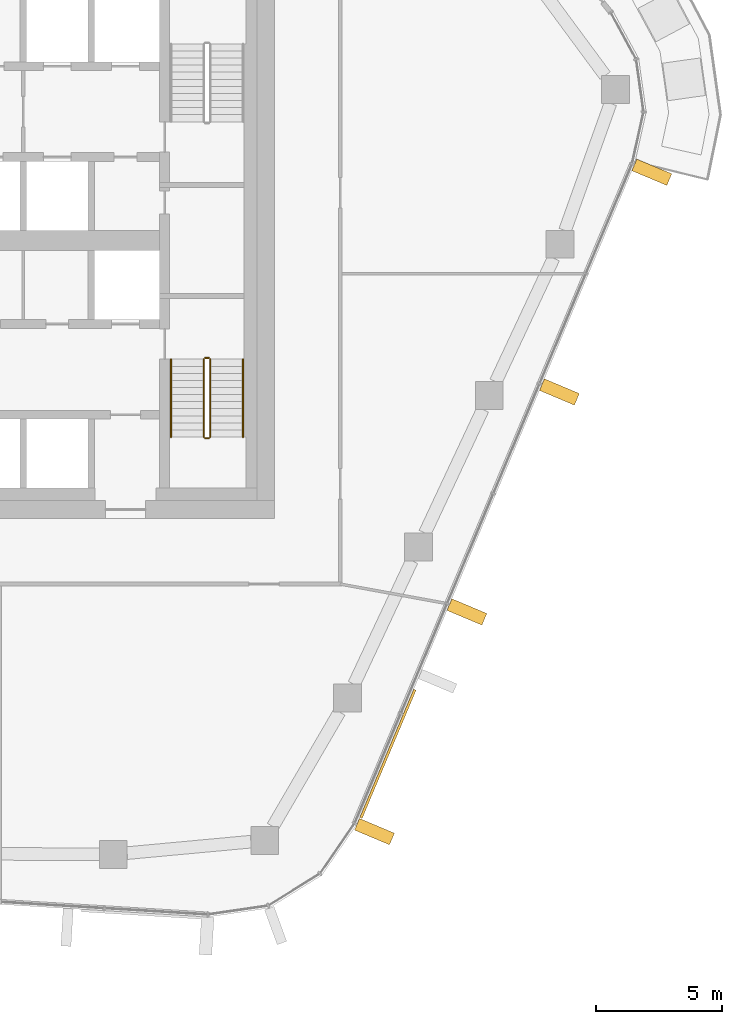
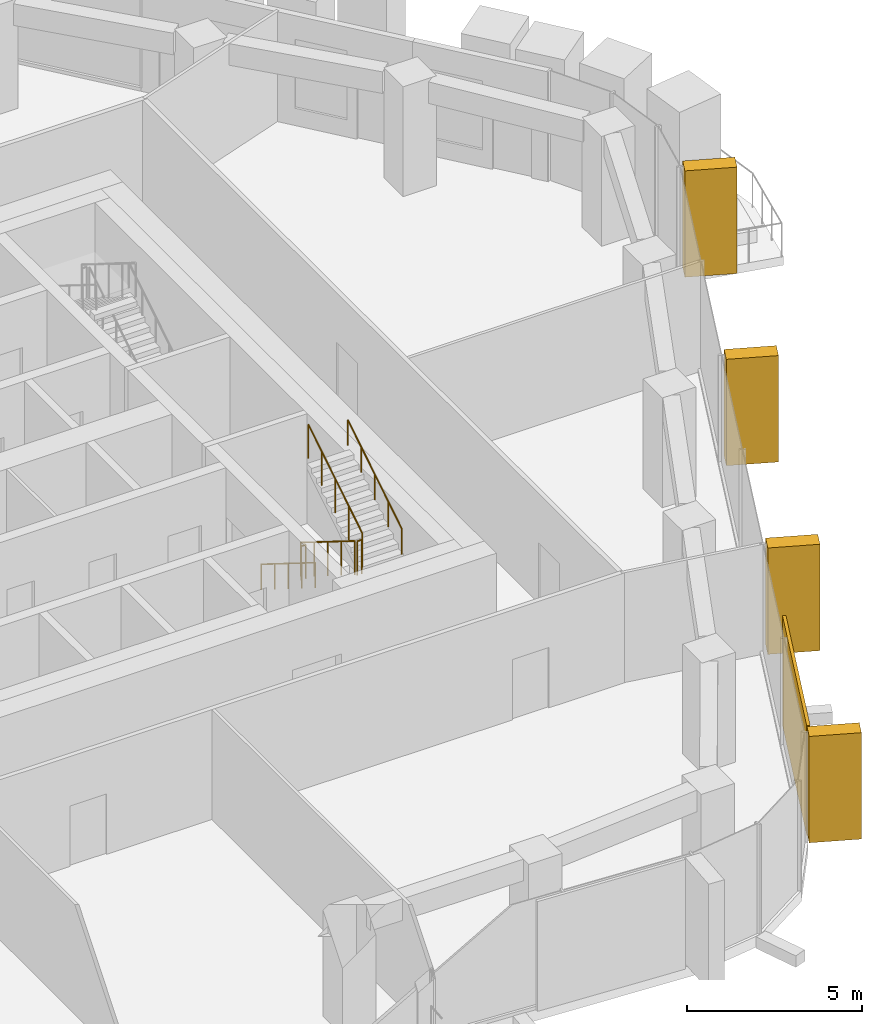
# One storey, part 17 of 20: 6 railings, 5 coverings, 1 element without a shape of its own.
"""IFC4 building model written with IfcOpenShell, lengths in metres."""

from ifc_helpers import new_model, si_unit, direction, frame, origin, origin_2d, place, context, subcontext, project, spatial, rectangle, circle, extrude, material, layer, layer_set, material_profile, profile_set, type_object, element, aggregate, save


model = new_model("IFC4")

# Units and contexts
model_context = context("Model", 3, precision=1e-05, world=origin(), true_north=direction((0.0, 1.0)))
body_context = subcontext(model_context, "Body", "Model", "MODEL_VIEW")
ifc_project = project(units=[si_unit("LENGTHUNIT", "METRE"), si_unit("AREAUNIT", "SQUARE_METRE"), si_unit("VOLUMEUNIT", "CUBIC_METRE"), si_unit("PLANEANGLEUNIT", "RADIAN"), si_unit("MASSUNIT", "GRAM", prefix="KILO")], contexts=[model_context])

# Site, building, storey
site_placement = place(None, origin())
site = spatial("IfcSite", under=ifc_project, at=site_placement, CompositionType="ELEMENT")
building_placement = place(site_placement, origin())
building = spatial("IfcBuilding", under=site, at=building_placement, Name="Dongbaek Canopy Tower", CompositionType="ELEMENT")
storey_placement = place(building_placement, frame((0.0, 0.0, 262.199951171875)))
storey = spatial("IfcBuildingStorey", under=building, at=storey_placement, Name="L55", CompositionType="ELEMENT", Elevation=262.199951171875)

# Curtain wall, coverings
ifc_material_1 = material(Name="Aluminium 6063-T6 pale anodised", Category="aluminium")
ifc_layer_1 = layer(ifc_material_1, 0.199951171875)
ifc_layer_set_1 = layer_set([ifc_layer_1], Name="CW-1 unitised tower curtain wall")
curtain_wall_type = type_object("IfcCurtainWallType", Name="CW-1 unitised tower curtain wall", PredefinedType="NOTDEFINED", material=ifc_layer_set_1)
curtain_wall_placement = place(storey_placement, origin())
curtain_wall = element("IfcCurtainWall", 1, at=curtain_wall_placement, inside=storey, type_object=curtain_wall_type, Name="CW-1 curtain wall F5.1", PredefinedType="NOTDEFINED")
ifc_material_2 = material(Name="Perforated aluminium 6063-T6 pale metal screen", Category="aluminium")
ifc_layer_2 = layer(ifc_material_2, 0.10009765625)
ifc_layer_set_2 = layer_set([ifc_layer_2], Name="Facet screen FS1 100 pale metal")
covering_type_1 = type_object("IfcCoveringType", Name="Facet screen FS1 100 pale metal", PredefinedType="CLADDING", material=ifc_layer_set_2)
covering_1_placement = place(storey_placement, frame((18.48779296875, -20.319091796875, 0.0), z_axis=(0.0, 0.0, 1.0), x_axis=(0.387695781976, 0.92178738364, 0.0)))
covering_1 = element("IfcCovering", 2, at=covering_1_placement, type_object=covering_type_1, Name="Facet screen L55 F5", PredefinedType="CLADDING", context=body_context, shape_type="SweptSolid", body=[
    extrude(rectangle(XDim=5.511474609375, YDim=0.10009765625, at=origin_2d()), origin(), (0.0, 0.0, 1.0), 3.820068359375),
])
ifc_material_3 = material(Name="Aluminium 6063-T6 pale metal fin", Category="aluminium")
ifc_material_profile = material_profile(ifc_material_3, rectangle(XDim=1.5, YDim=0.5, at=origin_2d()), Name="Fin FN1 500 x 1500 pale metal")
ifc_profile_set = profile_set([ifc_material_profile], Name="Aluminium 6063-T6 pale metal fin")
covering_type_2 = type_object("IfcCoveringType", Name="Fin FN1 500 x 1500 pale metal", PredefinedType="CLADDING", material=ifc_profile_set)
covering_2_placement = place(storey_placement, frame((17.955810546875, -23.399658203125, 0.1201171875), z_axis=(0.0, 0.0, 1.0), x_axis=(0.92178748934, -0.387695530662, 0.0)))
covering_2 = element("IfcCovering", 3, at=covering_2_placement, type_object=covering_type_2, Name="Fin F5.1.1", PredefinedType="CLADDING", context=body_context, shape_type="SweptSolid", body=[
    extrude(rectangle(XDim=1.5, YDim=0.5, at=origin_2d()), origin(), (0.0, 0.0, 1.0), 3.699951171875),
])
covering_3_placement = place(storey_placement, frame((21.613525390625, -14.703125, 0.1201171875), z_axis=(0.0, 0.0, 1.0), x_axis=(0.92178748934, -0.387695530662, 0.0)))
covering_3 = element("IfcCovering", 4, at=covering_3_placement, type_object=covering_type_2, Name="Fin F5.1.3", PredefinedType="CLADDING", context=body_context, shape_type="SweptSolid", body=[
    extrude(rectangle(XDim=1.5, YDim=0.5, at=origin_2d()), origin(), (0.0, 0.0, 1.0), 3.699951171875),
])
covering_4_placement = place(storey_placement, frame((25.275146484375, -5.9970703125, 0.1201171875), z_axis=(0.0, 0.0, 1.0), x_axis=(0.92178748934, -0.387695530662, 0.0)))
covering_4 = element("IfcCovering", 5, at=covering_4_placement, type_object=covering_type_2, Name="Fin F5.1.5", PredefinedType="CLADDING", context=body_context, shape_type="SweptSolid", body=[
    extrude(rectangle(XDim=1.5, YDim=0.5, at=origin_2d()), origin(), (0.0, 0.0, 1.0), 3.699951171875),
])
covering_5_placement = place(storey_placement, frame((28.933349609375, 2.70068359375, 0.1201171875), z_axis=(0.0, 0.0, 1.0), x_axis=(0.92178748934, -0.387695530662, 0.0)))
covering_5 = element("IfcCovering", 6, at=covering_5_placement, type_object=covering_type_2, Name="Fin F5.1.7", PredefinedType="CLADDING", context=body_context, shape_type="SweptSolid", body=[
    extrude(rectangle(XDim=1.5, YDim=0.5, at=origin_2d()), origin(), (0.0, 0.0, 1.0), 3.699951171875),
])
aggregate(curtain_wall, [covering_2, covering_3, covering_4, covering_5, covering_1])

# Railings
ifc_material_4 = material(Name="Stainless steel tube and balusters", Category="steel")
railing_type_1 = type_object("IfcRailingType", Name="Stair guard 1200", PredefinedType="GUARDRAIL", material=ifc_material_4)
railing_1_placement = place(storey_placement, frame((11.199951171875, -4.699951171875, 0.175048828125)))
element("IfcRailing", 7, at=railing_1_placement, inside=storey, type_object=railing_type_1, Name="L55 ST-B stair guard 1", PredefinedType="GUARDRAIL", context=body_context, shape_type="SweptSolid", body=[
    extrude(circle(Radius=0.02392578125, at=origin_2d()), frame((0.0, 0.0, 1.17578125), z_axis=(0.0, -0.847998304005, 0.529998940003), x_axis=(1.0, 0.0, 0.0)), (0.0, 0.0, 1.0), 3.632080078125),
    extrude(circle(Radius=0.02099609375, at=origin_2d()), origin(), (0.0, 0.0, 1.0), 1.15185546875),
    extrude(circle(Radius=0.02099609375, at=origin_2d()), frame((0.0, -0.77001953125, 0.481201171875)), (0.0, 0.0, 1.0), 1.15185546875),
    extrude(circle(Radius=0.02099609375, at=origin_2d()), frame((0.0, -1.5400390625, 0.96240234375)), (0.0, 0.0, 1.0), 1.15185546875),
    extrude(circle(Radius=0.02099609375, at=origin_2d()), frame((0.0, -2.31005859375, 1.44384765625)), (0.0, 0.0, 1.0), 1.15185546875),
    extrude(circle(Radius=0.02099609375, at=origin_2d()), frame((0.0, -3.080078125, 1.925048828125)), (0.0, 0.0, 1.0), 1.15185546875),
])
railing_2_placement = place(storey_placement, frame((11.25, -7.830078125, 2.10009765625)))
element("IfcRailing", 8, at=railing_2_placement, inside=storey, type_object=railing_type_1, Name="L55 ST-B stair guard 2", PredefinedType="GUARDRAIL", context=body_context, shape_type="SweptSolid", body=[
    extrude(circle(Radius=0.02392578125, at=origin_2d()), frame((0.0, 0.0, 1.17578125), z_axis=(1.0, 0.0, 0.0), x_axis=(0.0, 1.0, 0.0)), (0.0, 0.0, 1.0), 0.14990234375),
    extrude(circle(Radius=0.02099609375, at=origin_2d()), origin(), (0.0, 0.0, 1.0), 1.15185546875),
    extrude(circle(Radius=0.02099609375, at=origin_2d()), frame((0.14990234375, 0.0, 0.0)), (0.0, 0.0, 1.0), 1.15185546875),
])
railing_3_placement = place(storey_placement, frame((11.449951171875, -7.780029296875, 2.275146484375)))
element("IfcRailing", 9, at=railing_3_placement, inside=storey, type_object=railing_type_1, Name="L55 ST-B stair guard 3", PredefinedType="GUARDRAIL", context=body_context, shape_type="SweptSolid", body=[
    extrude(circle(Radius=0.02392578125, at=origin_2d()), frame((0.0, 0.0, 1.17578125), z_axis=(0.0, 0.848028513186, 0.529950602248), x_axis=(-1.0, 0.0, 0.0)), (0.0, 0.0, 1.0), 3.632080078125),
    extrude(circle(Radius=0.02099609375, at=origin_2d()), origin(), (0.0, 0.0, 1.0), 1.15185546875),
    extrude(circle(Radius=0.02099609375, at=origin_2d()), frame((0.0, 0.77001953125, 0.481201171875)), (0.0, 0.0, 1.0), 1.15185546875),
    extrude(circle(Radius=0.02099609375, at=origin_2d()), frame((0.0, 1.5400390625, 0.96240234375)), (0.0, 0.0, 1.0), 1.15185546875),
    extrude(circle(Radius=0.02099609375, at=origin_2d()), frame((0.0, 2.31005859375, 1.443603515625)), (0.0, 0.0, 1.0), 1.15185546875),
    extrude(circle(Radius=0.02099609375, at=origin_2d()), frame((0.0, 3.080078125, 1.9248046875)), (0.0, 0.0, 1.0), 1.15185546875),
])
railing_4_placement = place(storey_placement, frame((11.25, -4.64990234375, 0.0)))
element("IfcRailing", 10, at=railing_4_placement, inside=storey, type_object=railing_type_1, Name="L55 ST-B stair guard 4", PredefinedType="GUARDRAIL", context=body_context, shape_type="SweptSolid", body=[
    extrude(circle(Radius=0.02392578125, at=origin_2d()), frame((0.0, 0.0, 1.17578125), z_axis=(1.0, 0.0, 0.0), x_axis=(0.0, 1.0, 0.0)), (0.0, 0.0, 1.0), 0.14990234375),
    extrude(circle(Radius=0.02099609375, at=origin_2d()), origin(), (0.0, 0.0, 1.0), 1.15185546875),
    extrude(circle(Radius=0.02099609375, at=origin_2d()), frame((0.14990234375, 0.0, 0.0)), (0.0, 0.0, 1.0), 1.15185546875),
])
ifc_material_5 = material(Name="Stainless steel tube", Category="steel")
railing_type_2 = type_object("IfcRailingType", Name="Stair handrail 900", PredefinedType="HANDRAIL", material=ifc_material_5)
railing_5_placement = place(storey_placement, frame((9.89990234375, -4.699951171875, 0.175048828125)))
element("IfcRailing", 11, at=railing_5_placement, inside=storey, type_object=railing_type_2, Name="L55 ST-B stair handrail 1", PredefinedType="HANDRAIL", context=body_context, shape_type="SweptSolid", body=[
    extrude(circle(Radius=0.02392578125, at=origin_2d()), frame((0.0, 0.0, 0.8759765625), z_axis=(0.0, -0.847998304005, 0.529998940003), x_axis=(1.0, 0.0, 0.0)), (0.0, 0.0, 1.0), 3.632080078125),
    extrude(circle(Radius=0.02099609375, at=origin_2d()), origin(), (0.0, 0.0, 1.0), 0.851806640625),
    extrude(circle(Radius=0.02099609375, at=origin_2d()), frame((0.0, -0.77001953125, 0.481201171875)), (0.0, 0.0, 1.0), 0.851806640625),
    extrude(circle(Radius=0.02099609375, at=origin_2d()), frame((0.0, -1.5400390625, 0.96240234375)), (0.0, 0.0, 1.0), 0.851806640625),
    extrude(circle(Radius=0.02099609375, at=origin_2d()), frame((0.0, -2.31005859375, 1.44384765625)), (0.0, 0.0, 1.0), 0.851806640625),
    extrude(circle(Radius=0.02099609375, at=origin_2d()), frame((0.0, -3.080078125, 1.925048828125)), (0.0, 0.0, 1.0), 0.851806640625),
])
railing_6_placement = place(storey_placement, frame((12.75, -7.780029296875, 2.275146484375)))
element("IfcRailing", 12, at=railing_6_placement, inside=storey, type_object=railing_type_2, Name="L55 ST-B stair handrail 2", PredefinedType="HANDRAIL", context=body_context, shape_type="SweptSolid", body=[
    extrude(circle(Radius=0.02392578125, at=origin_2d()), frame((0.0, 0.0, 0.8759765625), z_axis=(0.0, 0.848028513186, 0.529950602248), x_axis=(-1.0, 0.0, 0.0)), (0.0, 0.0, 1.0), 3.632080078125),
    extrude(circle(Radius=0.02099609375, at=origin_2d()), origin(), (0.0, 0.0, 1.0), 0.851806640625),
    extrude(circle(Radius=0.02099609375, at=origin_2d()), frame((0.0, 0.77001953125, 0.481201171875)), (0.0, 0.0, 1.0), 0.851806640625),
    extrude(circle(Radius=0.02099609375, at=origin_2d()), frame((0.0, 1.5400390625, 0.96240234375)), (0.0, 0.0, 1.0), 0.851806640625),
    extrude(circle(Radius=0.02099609375, at=origin_2d()), frame((0.0, 2.31005859375, 1.443603515625)), (0.0, 0.0, 1.0), 0.851806640625),
    extrude(circle(Radius=0.02099609375, at=origin_2d()), frame((0.0, 3.080078125, 1.9248046875)), (0.0, 0.0, 1.0), 0.851806640625),
])

save(model, "model.ifc")
